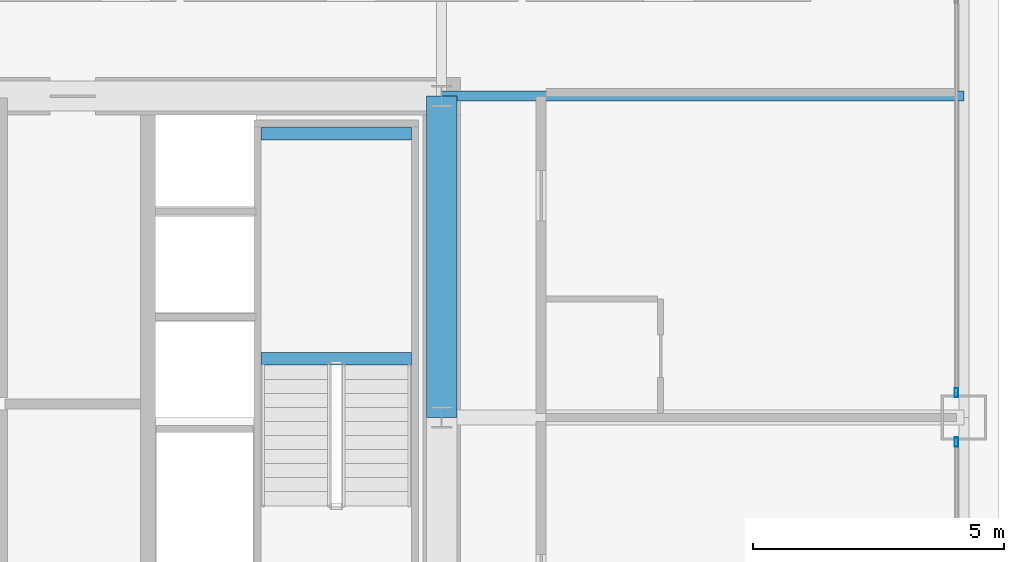
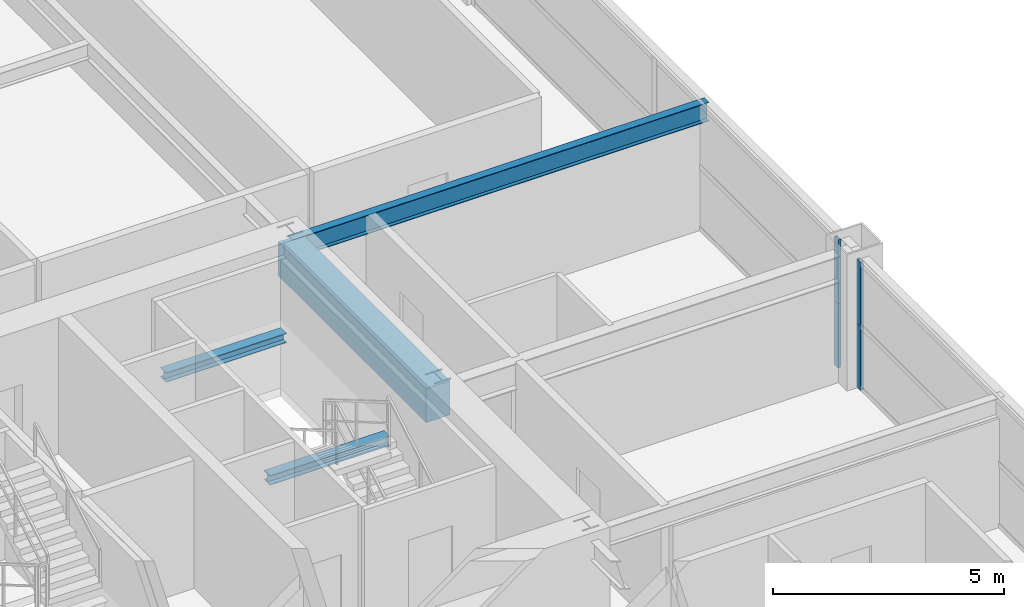
# One storey, part 19 of 38: 4 beams, 4 members, 2 elements without a shape of their own.
"""IFC4 building model written with IfcOpenShell, lengths in metres."""

from ifc_helpers import new_model, si_unit, direction, frame, origin, origin_2d, place, context, subcontext, project, spatial, rectangle, hollow_rectangle, i_section, extrude, source, transform, mapped, material, layer, layer_set, material_profile, profile_set, type_object, element, aggregate, save


model = new_model("IFC4")

# Units and contexts
model_context = context("Model", 3, precision=1e-05, world=origin(), true_north=direction((0.0, 1.0)))
body_context = subcontext(model_context, "Body", "Model", "MODEL_VIEW")
ifc_project = project(units=[si_unit("LENGTHUNIT", "METRE"), si_unit("AREAUNIT", "SQUARE_METRE"), si_unit("VOLUMEUNIT", "CUBIC_METRE"), si_unit("PLANEANGLEUNIT", "RADIAN"), si_unit("MASSUNIT", "GRAM", prefix="KILO"), si_unit("THERMODYNAMICTEMPERATUREUNIT", "KELVIN"), si_unit("POWERUNIT", "WATT")], contexts=[model_context])

# Site, building, storey
site_placement = place(None, origin())
site = spatial("IfcSite", under=ifc_project, at=site_placement, CompositionType="ELEMENT")
building_placement = place(site_placement, origin())
building = spatial("IfcBuilding", under=site, at=building_placement, Name="Yuzanri Waterfront Tower", CompositionType="ELEMENT")
storey_placement = place(building_placement, frame((0.0, 0.0, 90.199951171875)))
storey = spatial("IfcBuildingStorey", under=building, at=storey_placement, Name="L23", CompositionType="ELEMENT", Elevation=90.199951171875)

# Beams
ifc_material_1 = material(Name="Concrete C60", Category="concrete")
ifc_material_profile_1 = material_profile(ifc_material_1, rectangle(XDim=0.60009765625, YDim=0.89990234375, at=origin_2d()), Name="RC 600x900")
ifc_profile_set_1 = profile_set([ifc_material_profile_1], Name="Concrete C60")
beam_type_1 = type_object("IfcBeamType", Name="Core Coupling Lintel Concrete C60 600x900", PredefinedType="LINTEL", material=ifc_profile_set_1)
shared_shape_1 = source(origin(), body_context, "Body", "SweptSolid", [
    extrude(rectangle(XDim=0.60009765625, YDim=0.89990234375, at=origin_2d()), origin(), (0.0, 0.0, 1.0), 6.39990234375),
])
beam_1_placement = place(storey_placement, frame((50.199951171875, 25.800048828125, 2.929931640625), z_axis=(0.0, 1.0, 0.0), x_axis=(-1.0, 0.0, 0.0)))
element("IfcBeam", 1, at=beam_1_placement, inside=storey, type_object=beam_type_1, Name="L23 Core Tie Beam CE2", PredefinedType="LINTEL", context=body_context, shape_type="MappedRepresentation", body=[
    mapped(shared_shape_1, transform((0.0, 0.0, 0.0), scale=1.0)),
])
ifc_material_2 = material(Name="Steel Q355B", Category="steel")
ifc_material_profile_2 = material_profile(ifc_material_2, i_section(OverallWidth=0.199951171875, OverallDepth=0.5, WebThickness=0.010009765625, FlangeThickness=0.01611328125, at=origin_2d()), Name="HN 500x200x10x16")
ifc_profile_set_2 = profile_set([ifc_material_profile_2], Name="Steel Q355B")
beam_type_2 = type_object("IfcBeamType", Name="Secondary Floor Beam Q355B HN 500x200", PredefinedType="BEAM", material=ifc_profile_set_2)
shared_shape_2 = source(origin(), body_context, "Body", "SweptSolid", [
    extrude(i_section(OverallWidth=0.199951171875, OverallDepth=0.5, WebThickness=0.010009765625, FlangeThickness=0.01611328125, at=origin_2d()), origin(), (0.0, 0.0, 1.0), 10.400146484375),
])
beam_2_placement = place(storey_placement, frame((50.199951171875, 32.199951171875, 3.130126953125), z_axis=(1.0, 0.0, 0.0), x_axis=(0.0, 1.0, 0.0)))
element("IfcBeam", 2, at=beam_2_placement, inside=storey, type_object=beam_type_2, Name="L23 East-North Core Line Beam", PredefinedType="BEAM", context=body_context, shape_type="MappedRepresentation", body=[
    mapped(shared_shape_2, transform((0.0, 0.0, 0.0), scale=1.0)),
])

# Curtain wall, members
ifc_material_3 = material(Name="Anodized Architectural Bronze", Category="metal")
ifc_layer = layer(ifc_material_3, 0.159912109375)
ifc_layer_set = layer_set([ifc_layer], Name="Anodized Architectural Bronze")
curtain_wall_type = type_object("IfcCurtainWallType", Name="Anodized Bronze Hotel Upper-Tier Solar-Control Unitized Curtain Wall 7800", PredefinedType="NOTDEFINED", material=ifc_layer_set)
curtain_wall_1_placement = place(storey_placement, origin())
curtain_wall_1 = element("IfcCurtainWall", 3, at=curtain_wall_1_placement, inside=storey, type_object=curtain_wall_type, Name="L23 Curtain Wall CW-L23-EL", PredefinedType="NOTDEFINED")
ifc_material_4 = material(Name="Anodized Architectural Bronze", Category="metal")
ifc_material_profile_3 = material_profile(ifc_material_4, hollow_rectangle(XDim=0.070068359375, YDim=0.179931640625, WallThickness=0.00390625, at=origin_2d()), Name="CWM 70x180")
ifc_profile_set_3 = profile_set([ifc_material_profile_3], Name="Anodized Architectural Bronze")
member_type = type_object("IfcMemberType", Name="Anodized Bronze Standard Curtain-Wall Mullion 70x180", PredefinedType="MULLION", material=ifc_profile_set_3)
shared_shape_3 = source(origin(), body_context, "Body", "SweptSolid", [
    extrude(hollow_rectangle(XDim=0.070068359375, YDim=0.179931640625, WallThickness=0.00390625, at=origin_2d()), origin(), (0.0, 0.0, 1.0), 1.68798828125),
])
member_1_placement = place(storey_placement, frame((60.449951171875, 25.31005859375, 0.0), z_axis=(0.0, 0.0, 1.0), x_axis=(1.0, 0.0, 0.0)))
member_1 = element("IfcMember", 4, at=member_1_placement, type_object=member_type, Name="CW-L23-EL Lower Mullion 02", PredefinedType="MULLION", context=body_context, shape_type="MappedRepresentation", body=[
    mapped(shared_shape_3, transform((0.0, 0.0, 0.0), scale=1.0)),
])
member_2_placement = place(storey_placement, frame((60.449951171875, 25.31005859375, 1.692138671875), z_axis=(0.0, 0.0, 1.0), x_axis=(1.0, 0.0, 0.0)))
member_2 = element("IfcMember", 5, at=member_2_placement, type_object=member_type, Name="CW-L23-EL Upper Mullion 02", PredefinedType="MULLION", context=body_context, shape_type="MappedRepresentation", body=[
    mapped(shared_shape_3, transform((0.0, 0.0, 0.0), scale=1.0)),
])
aggregate(curtain_wall_1, [member_1, member_2])

curtain_wall_2_placement = place(storey_placement, origin())
curtain_wall_2 = element("IfcCurtainWall", 6, at=curtain_wall_2_placement, inside=storey, type_object=curtain_wall_type, Name="L23 Curtain Wall CW-L23-ER", PredefinedType="NOTDEFINED")
member_3_placement = place(storey_placement, frame((60.449951171875, 26.2900390625, 0.0), z_axis=(0.0, 0.0, 1.0), x_axis=(1.0, 0.0, 0.0)))
member_3 = element("IfcMember", 7, at=member_3_placement, type_object=member_type, Name="CW-L23-ER Lower Mullion 00", PredefinedType="MULLION", context=body_context, shape_type="MappedRepresentation", body=[
    mapped(shared_shape_3, transform((0.0, 0.0, 0.0), scale=1.0)),
])
member_4_placement = place(storey_placement, frame((60.449951171875, 26.2900390625, 1.692138671875), z_axis=(0.0, 0.0, 1.0), x_axis=(1.0, 0.0, 0.0)))
member_4 = element("IfcMember", 8, at=member_4_placement, type_object=member_type, Name="CW-L23-ER Upper Mullion 00", PredefinedType="MULLION", context=body_context, shape_type="MappedRepresentation", body=[
    mapped(shared_shape_3, transform((0.0, 0.0, 0.0), scale=1.0)),
])
aggregate(curtain_wall_2, [member_3, member_4])

# Beams
ifc_material_5 = material(Name="Steel Q355B", Category="steel")
ifc_material_profile_4 = material_profile(ifc_material_5, i_section(OverallWidth=0.25, OverallDepth=0.25, WebThickness=0.009033203125, FlangeThickness=0.013916015625, at=origin_2d()), Name="HW 250x250x9x14")
ifc_profile_set_4 = profile_set([ifc_material_profile_4], Name="Steel Q355B")
beam_type_3 = type_object("IfcBeamType", Name="Stair Landing Support Beam Q355B HW 250x250", PredefinedType="BEAM", material=ifc_profile_set_4)
shared_shape_4 = source(origin(), body_context, "Body", "SweptSolid", [
    extrude(i_section(OverallWidth=0.25, OverallDepth=0.25, WebThickness=0.009033203125, FlangeThickness=0.013916015625, at=origin_2d()), origin(), (0.0, 0.0, 1.0), 3.0),
])
for number, where, z_axis, x_axis, name in (
    (9, (46.60009765625, 26.969970703125, 1.47509765625), (1.0, 0.0, 0.0), (0.0, 1.0, 0.0), "L23 Stair Landing Support Beam ST-02-L23-L1-1"),
    (10, (46.60009765625, 31.449951171875, 1.47509765625), (1.0, 0.0, 0.0), (0.0, 1.0, 0.0), "L23 Stair Landing Support Beam ST-02-L23-L1-2"),
):
    element("IfcBeam", number, at=place(storey_placement, frame(where, z_axis=z_axis, x_axis=x_axis)), inside=storey, type_object=beam_type_3, Name=name, PredefinedType="BEAM", context=body_context, shape_type="MappedRepresentation", body=[
        mapped(shared_shape_4, transform((0.0, 0.0, 0.0), scale=1.0)),
    ])

save(model, "model.ifc")
